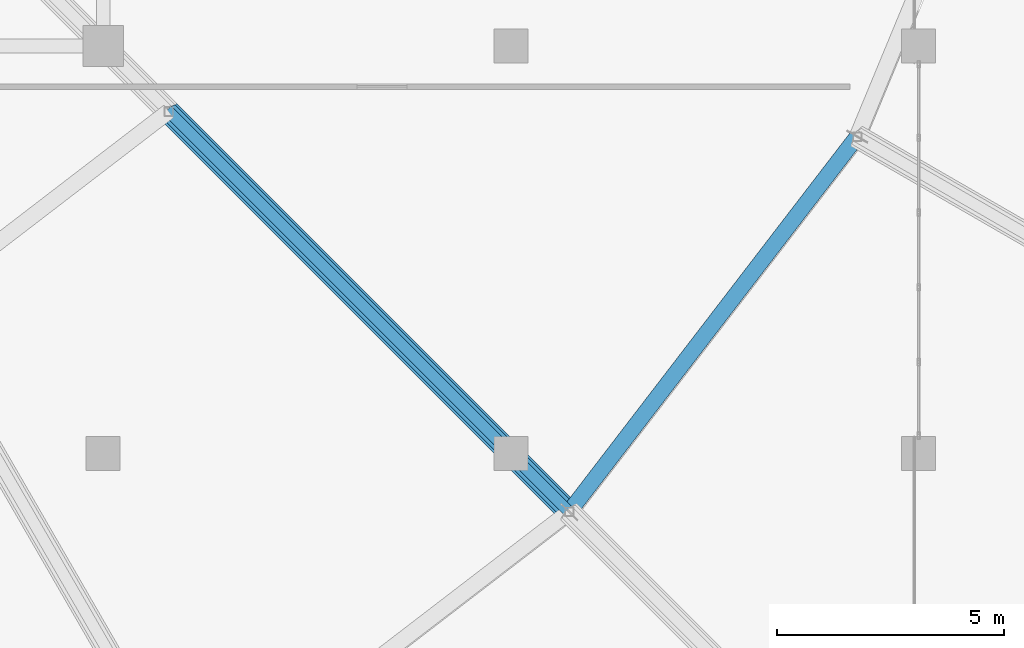
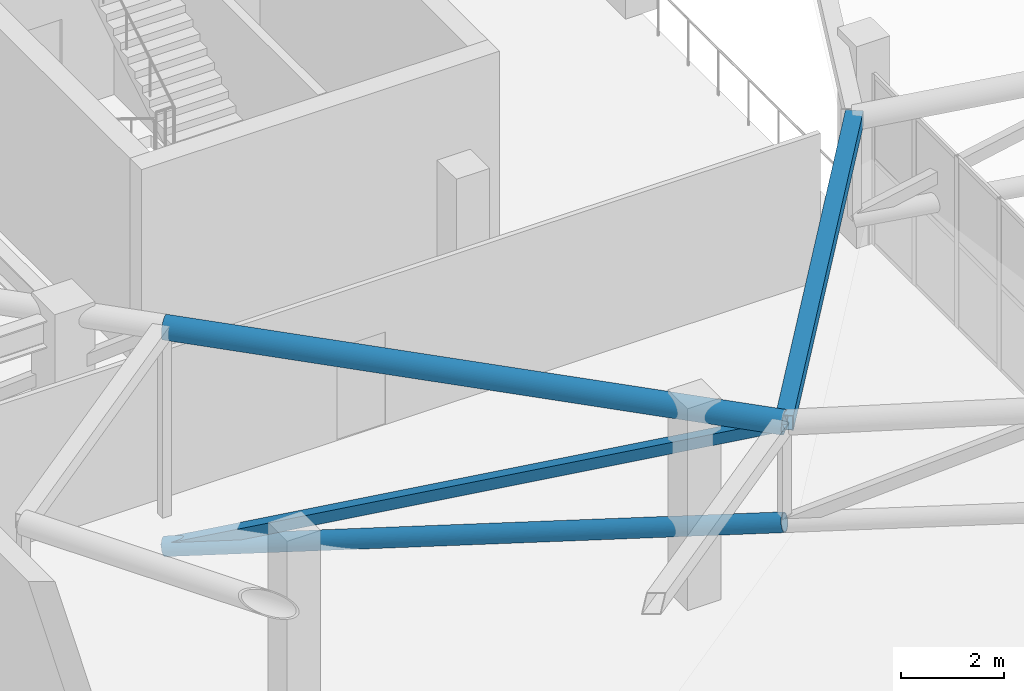
# One storey, part 38 of 167: 4 members.
"""IFC4 building model written with IfcOpenShell, lengths in metres."""

from ifc_helpers import new_model, si_unit, direction, frame, origin, origin_2d, place, context, subcontext, project, spatial, hollow_rectangle, hollow_circle, extrude, material, material_profile, profile_set, type_object, element, save


model = new_model("IFC4")

# Units and contexts
model_context = context("Model", 3, precision=1e-05, world=origin(), true_north=direction((0.0, 1.0)))
body_context = subcontext(model_context, "Body", "Model", "MODEL_VIEW")
ifc_project = project(units=[si_unit("LENGTHUNIT", "METRE"), si_unit("AREAUNIT", "SQUARE_METRE"), si_unit("VOLUMEUNIT", "CUBIC_METRE"), si_unit("PLANEANGLEUNIT", "RADIAN"), si_unit("MASSUNIT", "GRAM", prefix="KILO")], contexts=[model_context])

# Site, building, storey
site_placement = place(None, origin())
site = spatial("IfcSite", under=ifc_project, at=site_placement, CompositionType="ELEMENT")
building_placement = place(site_placement, origin())
building = spatial("IfcBuilding", under=site, at=building_placement, Name="Dornveld Trade and Exhibition Forum", CompositionType="ELEMENT")
storey_placement = place(building_placement, frame((0.0, 0.0, 16.800048828125)))
storey = spatial("IfcBuildingStorey", under=building, at=storey_placement, Name="L03", CompositionType="ELEMENT", Elevation=16.800048828125)

# Members
ifc_material_1 = material(Name="Steel S355J2", Category="steel")
ifc_material_profile_1 = material_profile(ifc_material_1, hollow_circle(Radius=0.203125, WallThickness=0.02001953125, at=origin_2d()), Name="CHS 406.4x20")
ifc_profile_set_1 = profile_set([ifc_material_profile_1], Name="Steel S355J2")
member_type_1 = type_object("IfcMemberType", Name="MEM-DISC-BC", PredefinedType="CHORD", material=ifc_profile_set_1)
member_1_placement = place(storey_placement, frame((136.4453125, 61.5546875, -0.76220703125), z_axis=(0.689559145785, -0.689559145785, 0.221396406767), x_axis=(0.707106781187, 0.707106781187, 0.0)))
element("IfcMember", 1, at=member_1_placement, inside=storey, type_object=member_type_1, Name="Roof disc radial R22 conical bottom chord 2", PredefinedType="CHORD", context=body_context, shape_type="SweptSolid", body=[
    extrude(hollow_circle(Radius=0.203125, WallThickness=0.02001953125, at=origin_2d()), origin(), (0.0, 0.0, 1.0), 12.818115234375),
])
ifc_material_2 = material(Name="Steel S355J2", Category="steel")
ifc_material_profile_2 = material_profile(ifc_material_2, hollow_rectangle(XDim=0.35009765625, YDim=0.35009765625, WallThickness=0.01611328125, at=origin_2d()), Name="SHS 350x350x16")
ifc_profile_set_2 = profile_set([ifc_material_profile_2], Name="Steel S355J2")
member_type_2 = type_object("IfcMemberType", Name="MEM-DISC-RING", PredefinedType="CHORD", material=ifc_profile_set_2)
member_2_placement = place(storey_placement, frame((145.2841796875, 52.7158203125, 4.449951171875), z_axis=(0.608777037117, 0.793341363525, 0.0), x_axis=(-0.793341363525, 0.608777037117, 0.0)))
element("IfcMember", 2, at=member_2_placement, inside=storey, type_object=member_type_2, Name="Roof disc ring 3 chord 22", PredefinedType="CHORD", context=body_context, shape_type="SweptSolid", body=[
    extrude(hollow_rectangle(XDim=0.35009765625, YDim=0.35009765625, WallThickness=0.01611328125, at=origin_2d()), origin(), (0.0, 0.0, 1.0), 10.442138671875),
])
ifc_material_3 = material(Name="Steel S355J2", Category="steel")
ifc_material_profile_3 = material_profile(ifc_material_3, hollow_circle(Radius=0.25390625, WallThickness=0.02490234375, at=origin_2d()), Name="CHS 508x25")
ifc_profile_set_3 = profile_set([ifc_material_profile_3], Name="Steel S355J2")
member_type_3 = type_object("IfcMemberType", Name="MEM-DISC-TC", PredefinedType="CHORD", material=ifc_profile_set_3)
member_3_placement = place(storey_placement, frame((136.4453125, 61.5546875, 4.449951171875), z_axis=(0.707106781187, -0.707106781187, 0.0), x_axis=(0.707106781187, 0.707106781187, 0.0)))
element("IfcMember", 3, at=member_3_placement, inside=storey, type_object=member_type_3, Name="Roof disc radial R22 top chord 2", PredefinedType="CHORD", context=body_context, shape_type="SweptSolid", body=[
    extrude(hollow_circle(Radius=0.25390625, WallThickness=0.02490234375, at=origin_2d()), origin(), (0.0, 0.0, 1.0), 12.5),
])
ifc_material_4 = material(Name="Steel S355J2", Category="steel")
ifc_material_profile_4 = material_profile(ifc_material_4, hollow_rectangle(XDim=0.25, YDim=0.25, WallThickness=0.012451171875, at=origin_2d()), Name="SHS 250x250x12.5")
ifc_profile_set_4 = profile_set([ifc_material_profile_4], Name="Steel S355J2")
member_type_4 = type_object("IfcMemberType", Name="MEM-DISC-WEB", PredefinedType="BRACE", material=ifc_profile_set_4)
member_4_placement = place(storey_placement, frame((136.4453125, 61.5546875, -0.76220703125), z_axis=(0.652643384165, -0.652643384165, 0.384854811859), x_axis=(0.707106781187, 0.707106781187, 0.0)))
element("IfcMember", 4, at=member_4_placement, inside=storey, type_object=member_type_4, Name="Roof disc radial R22 web 2", PredefinedType="BRACE", context=body_context, shape_type="SweptSolid", body=[
    extrude(hollow_rectangle(XDim=0.25, YDim=0.25, WallThickness=0.012451171875, at=origin_2d()), origin(), (0.0, 0.0, 1.0), 13.543212890625),
])

save(model, "model.ifc")
